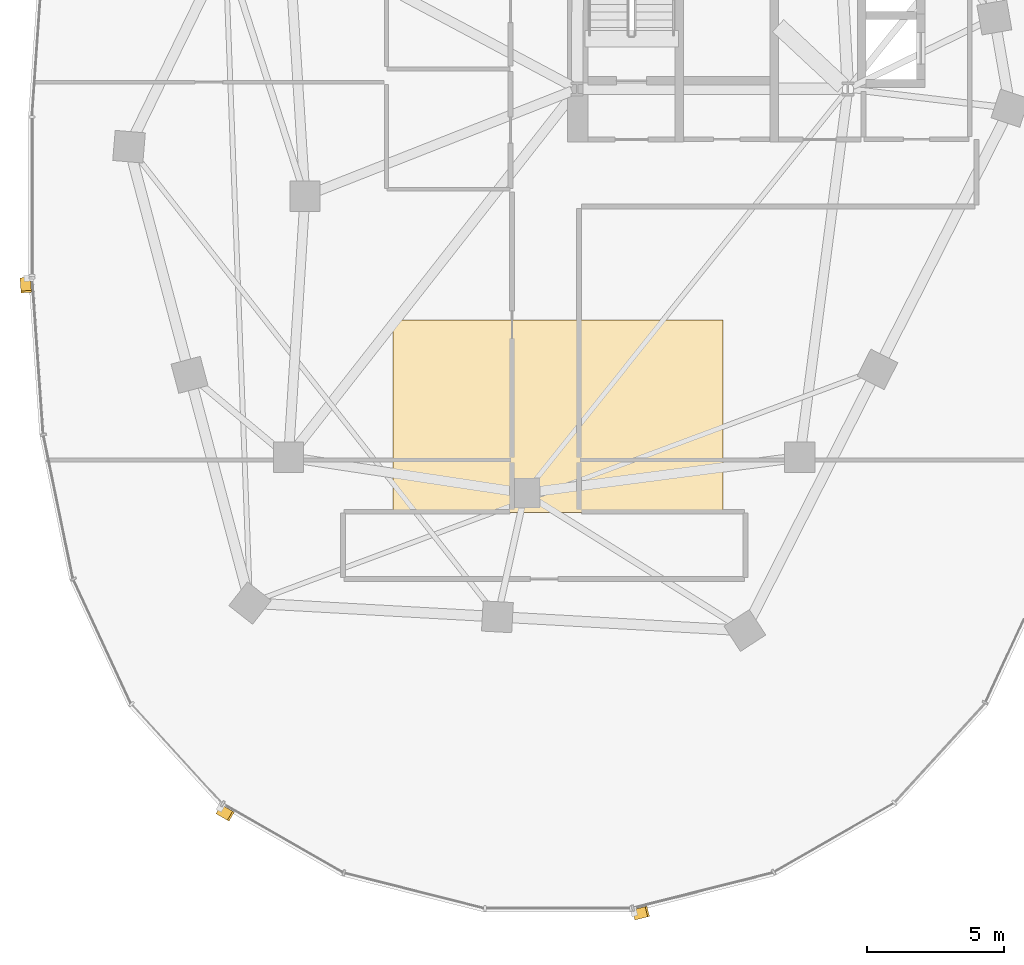
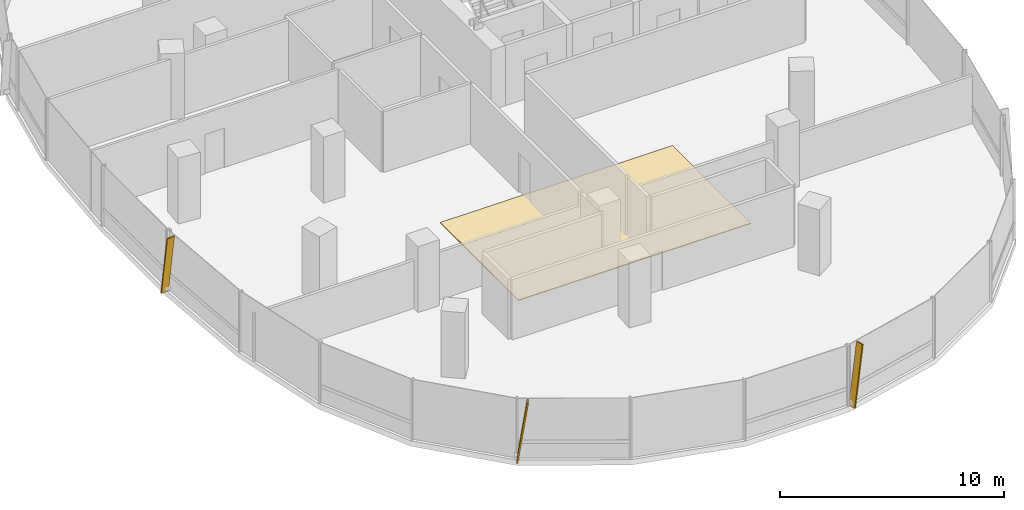
# One storey, part 17 of 21: 3 shading devices, 1 covering.
"""IFC4 building model written with IfcOpenShell, lengths in metres."""

from ifc_helpers import new_model, si_unit, direction, frame, origin, origin_2d, place, context, subcontext, project, spatial, polyline, rectangle, outline, extrude, material, layer, layer_set, material_profile, profile_set, type_object, element, save


model = new_model("IFC4")

# Units and contexts
model_context = context("Model", 3, precision=1e-05, world=origin(), true_north=direction((0.0, 1.0)))
body_context = subcontext(model_context, "Body", "Model", "MODEL_VIEW")
ifc_project = project(units=[si_unit("LENGTHUNIT", "METRE"), si_unit("AREAUNIT", "SQUARE_METRE"), si_unit("VOLUMEUNIT", "CUBIC_METRE"), si_unit("PLANEANGLEUNIT", "RADIAN"), si_unit("MASSUNIT", "GRAM", prefix="KILO"), si_unit("THERMODYNAMICTEMPERATUREUNIT", "KELVIN"), si_unit("POWERUNIT", "WATT")], contexts=[model_context])

# Site, building, storey
site_placement = place(None, origin())
site = spatial("IfcSite", under=ifc_project, at=site_placement, CompositionType="ELEMENT")
building_placement = place(site_placement, origin())
building = spatial("IfcBuilding", under=site, at=building_placement, Name="Cundina Bronze Exchange", CompositionType="ELEMENT")
storey_placement = place(building_placement, frame((0.0, 0.0, 103.39990234375)))
storey = spatial("IfcBuildingStorey", under=building, at=storey_placement, Name="L26", CompositionType="ELEMENT", Elevation=103.39990234375)

# Covering
ifc_material_1 = material(Name="Raised Access Steel-Cementitious Floor Panel 40mm", Category="steel")
ifc_layer = layer(ifc_material_1, 0.0400390625, Name="Raised Access Steel-Cementitious Floor Panel 40mm", Category="steel")
ifc_layer_set = layer_set([ifc_layer], Name="Raised Access Steel-Cementitious Floor Panel 40mm")
covering_type = type_object("IfcCoveringType", Name="COV-FLR-RAF40", PredefinedType="FLOORING", material=ifc_layer_set)
covering_placement = place(storey_placement, origin())
element("IfcCovering", 1, at=covering_placement, inside=storey, type_object=covering_type, Name="L26 W UFAD Raised Access Trading Floor", PredefinedType="FLOORING", context=body_context, shape_type="SweptSolid", body=[
    extrude(outline(polyline([(-38.0, -11.5), (-26.0, -11.5), (-26.0, -4.5), (-38.0, -4.5), (-38.0, -11.5)])), origin(), (0.0, 0.0, 1.0), 0.0400390625),
])

# Shading devices
ifc_material_2 = material(Name="Anodised Bronze Aluminium 6063-T6", Category="aluminium")
ifc_material_profile = material_profile(ifc_material_2, rectangle(XDim=0.070068359375, YDim=0.3798828125, at=origin_2d()), Name="FIN70X380", Category="aluminium")
ifc_profile_set = profile_set([ifc_material_profile], Name="Anodised Bronze Aluminium 6063-T6")
shading_device_type = type_object("IfcShadingDeviceType", Name="SHD-FIN-BRZ380", PredefinedType="USERDEFINED", material=ifc_profile_set)
for number, where, z_axis, x_axis, name in (
    (2, (-51.3740234375, -2.993896484375, 0.02001953125), (0.010224545828, -0.145292278041, 0.989335945271), (-0.069450050635, 0.986895284755, 0.145651595925), "L26 Diagonal Bronze Solar Fin 1"),
    (3, (-44.314208984375, -22.314208984375, 0.02001953125), (0.126324692219, -0.072534823274, 0.989333498649), (-0.857958278167, 0.492634108109, 0.145668213594), "L26 Diagonal Bronze Solar Fin 5"),
    (4, (-29.212646484375, -26.138427734375, 0.02001953125), (0.141217047268, 0.035711761166, 0.989334329575), (-0.95914051701, -0.242552848478, 0.145662570088), "L26 Diagonal Bronze Solar Fin 1"),
):
    element("IfcShadingDevice", number, at=place(storey_placement, frame(where, z_axis=z_axis, x_axis=x_axis)), inside=storey, type_object=shading_device_type, Name=name, ObjectType="FIN", PredefinedType="USERDEFINED", context=body_context, shape_type="SweptSolid", body=[
        extrude(rectangle(XDim=0.070068359375, YDim=0.3798828125, at=origin_2d()), origin(), (0.0, 0.0, 1.0), 3.295166015625),
    ])

save(model, "model.ifc")
